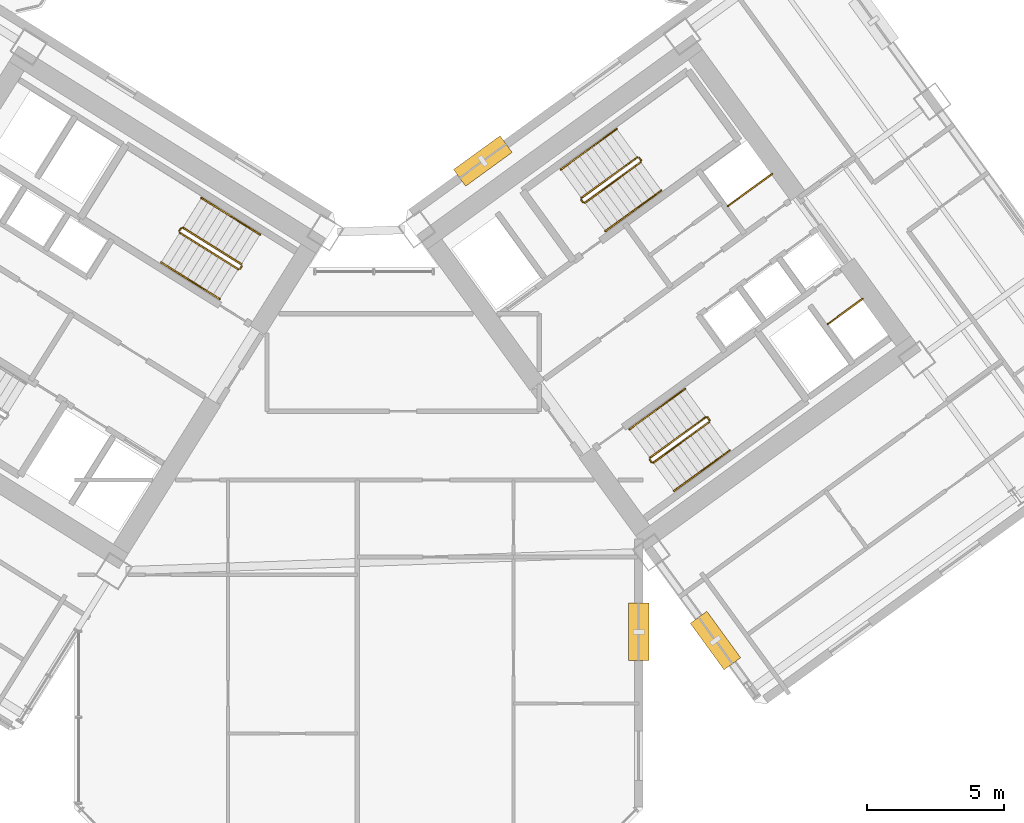
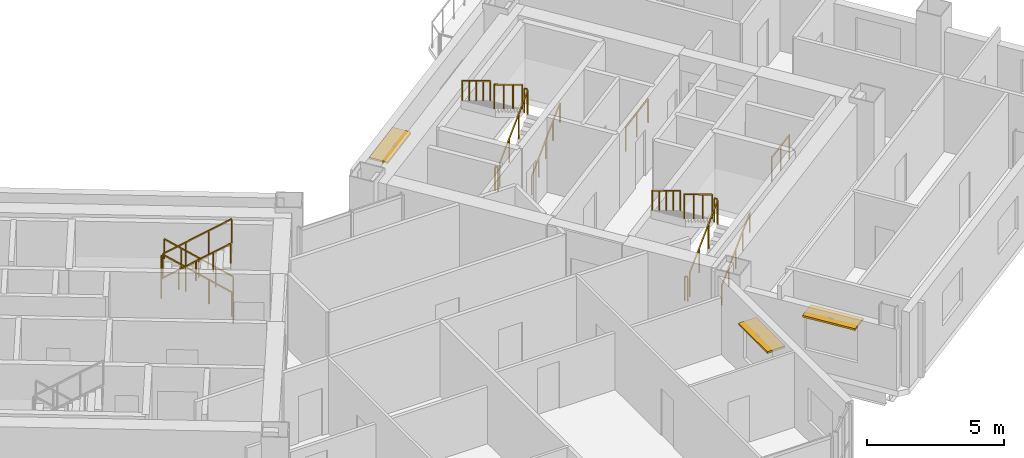
# One storey, part 23 of 24: 26 railings, 3 shading devices.
"""IFC4 building model written with IfcOpenShell, lengths in metres."""

from ifc_helpers import new_model, si_unit, direction, frame, origin, origin_2d, place, context, subcontext, project, spatial, rectangle, extrude, source, transform, mapped, material, layer, layer_set, type_object, element, save


model = new_model("IFC4")

# Units and contexts
model_context = context("Model", 3, precision=1e-05, world=origin(), true_north=direction((0.0, 1.0)))
body_context = subcontext(model_context, "Body", "Model", "MODEL_VIEW")
ifc_project = project(units=[si_unit("LENGTHUNIT", "METRE"), si_unit("AREAUNIT", "SQUARE_METRE"), si_unit("VOLUMEUNIT", "CUBIC_METRE"), si_unit("PLANEANGLEUNIT", "RADIAN"), si_unit("MASSUNIT", "GRAM", prefix="KILO")], contexts=[model_context])

# Site, building, storey
site_placement = place(None, origin())
site = spatial("IfcSite", under=ifc_project, at=site_placement, CompositionType="ELEMENT")
building_placement = place(site_placement, origin())
building = spatial("IfcBuilding", under=site, at=building_placement, Name="Tlacorven Tower", CompositionType="ELEMENT")
storey_placement = place(building_placement, frame((0.0, 0.0, 31.199951171875)))
storey = spatial("IfcBuildingStorey", under=building, at=storey_placement, Name="L07", CompositionType="ELEMENT", Elevation=31.199951171875)

# Railings
ifc_material_1 = material(Name="Aluminium and painted steel balustrade", Category="steel")
railing_type_1 = type_object("IfcRailingType", Name="RL-GRD-1100", PredefinedType="GUARDRAIL", material=ifc_material_1)
shared_shape_1 = source(origin(), body_context, "Body", "SweptSolid", [
    extrude(rectangle(XDim=0.048095703125, YDim=0.048095703125, at=origin_2d()), frame((0.0, 0.0, 1.076171875), z_axis=(0.808947177504, 0.587881334972, 0.0), x_axis=(-0.587881334972, 0.808947177504, 0.0)), (0.0, 0.0, 1.0), 2.0),
    extrude(rectangle(XDim=0.0419921875, YDim=0.0419921875, at=origin_2d()), origin(), (0.0, 0.0, 1.0), 1.052001953125),
    extrude(rectangle(XDim=0.0419921875, YDim=0.0419921875, at=origin_2d()), frame((0.80908203125, 0.587890625, 0.0)), (0.0, 0.0, 1.0), 1.052001953125),
    extrude(rectangle(XDim=0.0419921875, YDim=0.0419921875, at=origin_2d()), frame((1.617919921875, 1.17578125, 0.0)), (0.0, 0.0, 1.0), 1.052001953125),
])
railing_1_placement = place(storey_placement, frame((55.506103515625, 25.438232421875, 0.0)))
element("IfcRailing", 1, at=railing_1_placement, inside=storey, type_object=railing_type_1, Name="L07 Electrical Riser E Shaft Guard 1", PredefinedType="GUARDRAIL", context=body_context, shape_type="MappedRepresentation", body=[
    mapped(shared_shape_1, transform((0.0, 0.0, 0.0), scale=1.0)),
])
shared_shape_2 = source(origin(), body_context, "Body", "SweptSolid", [
    extrude(rectangle(XDim=0.048095703125, YDim=0.048095703125, at=origin_2d()), frame((0.0, 0.0, 1.076171875), z_axis=(0.809029975545, 0.58776738483, 0.0), x_axis=(-0.58776738483, 0.809029975545, 0.0)), (0.0, 0.0, 1.0), 1.580078125),
    extrude(rectangle(XDim=0.0419921875, YDim=0.0419921875, at=origin_2d()), origin(), (0.0, 0.0, 1.0), 1.052001953125),
    extrude(rectangle(XDim=0.0419921875, YDim=0.0419921875, at=origin_2d()), frame((0.63916015625, 0.46435546875, 0.0)), (0.0, 0.0, 1.0), 1.052001953125),
    extrude(rectangle(XDim=0.0419921875, YDim=0.0419921875, at=origin_2d()), frame((1.2783203125, 0.9287109375, 0.0)), (0.0, 0.0, 1.0), 1.052001953125),
])
railing_2_placement = place(storey_placement, frame((59.160888671875, 21.122314453125, 0.0)))
element("IfcRailing", 2, at=railing_2_placement, inside=storey, type_object=railing_type_1, Name="L07 Smoke Riser E Shaft Guard 1", PredefinedType="GUARDRAIL", context=body_context, shape_type="MappedRepresentation", body=[
    mapped(shared_shape_2, transform((0.0, 0.0, 0.0), scale=1.0)),
])

# Shading devices
ifc_material_2 = material(Name="Anodised bronze aluminium sunshade", Category="aluminium")
ifc_layer = layer(ifc_material_2, 0.080078125)
ifc_layer_set = layer_set([ifc_layer], Name="Anodised bronze aluminium sunshade")
shading_device_type = type_object("IfcShadingDeviceType", Name="SH-SUN-BRZ", PredefinedType="AWNING", material=ifc_layer_set)
shared_shape_3 = source(origin(), body_context, "Body", "SweptSolid", [
    extrude(rectangle(XDim=2.10009765625, YDim=0.75, at=origin_2d()), origin(), (0.0, 0.0, 1.0), 0.080078125),
])
for number, where, z_axis, x_axis, name in (
    (3, (46.5419921875, 27.083740234375, 2.3701171875), (0.0, 0.0, 1.0), (0.809017097486, 0.587785110372, 0.0), "L07 Solar Brise-Soleil Sunshade L07-04.1"),
    (4, (55.04931640625, 9.54736328125, 2.3701171875), (0.0, 0.0, 1.0), (-0.587785622053, 0.809016725728, 0.0), "L07 Solar Brise-Soleil Sunshade L07-07.1"),
    (5, (52.239990234375, 9.861572265625, 2.3701171875), (0.0, 0.0, 1.0), (0.0, -1.0, 0.0), "L07 Solar Brise-Soleil Sunshade L07-08.1"),
):
    element("IfcShadingDevice", number, at=place(storey_placement, frame(where, z_axis=z_axis, x_axis=x_axis)), inside=storey, type_object=shading_device_type, Name=name, PredefinedType="AWNING", context=body_context, shape_type="MappedRepresentation", body=[
        mapped(shared_shape_3, transform((0.0, 0.0, 0.0), scale=1.0)),
    ])

# Railings
shared_shape_4 = source(origin(), body_context, "Body", "SweptSolid", [
    extrude(rectangle(XDim=0.048095703125, YDim=0.048095703125, at=origin_2d()), frame((0.0, 0.0, 1.076171875), z_axis=(-0.713319727316, 0.445773895627, 0.540796265334), x_axis=(-0.529955395941, -0.84802551749, 0.0)), (0.0, 0.0, 1.0), 2.995849609375),
    extrude(rectangle(XDim=0.0419921875, YDim=0.0419921875, at=origin_2d()), origin(), (0.0, 0.0, 1.0), 1.052001953125),
    extrude(rectangle(XDim=0.0419921875, YDim=0.0419921875, at=origin_2d()), frame((-0.71240234375, 0.445068359375, 0.5400390625)), (0.0, 0.0, 1.0), 1.052001953125),
    extrude(rectangle(XDim=0.0419921875, YDim=0.0419921875, at=origin_2d()), frame((-1.424560546875, 0.890380859375, 1.080078125)), (0.0, 0.0, 1.0), 1.052001953125),
    extrude(rectangle(XDim=0.0419921875, YDim=0.0419921875, at=origin_2d()), frame((-2.136962890625, 1.33544921875, 1.6201171875)), (0.0, 0.0, 1.0), 1.052001953125),
])
railing_3_placement = place(storey_placement, frame((37.712158203125, 23.3095703125, 0.179931640625)))
element("IfcRailing", 6, at=railing_3_placement, inside=storey, type_object=railing_type_1, Name="L07 ST-W2 stair guard 1", PredefinedType="GUARDRAIL", context=body_context, shape_type="MappedRepresentation", body=[
    mapped(shared_shape_4, transform((0.0, 0.0, 0.0), scale=1.0)),
])
shared_shape_5 = source(origin(), body_context, "Body", "SweptSolid", [
    extrude(rectangle(XDim=0.048095703125, YDim=0.048095703125, at=origin_2d()), frame((0.0, 0.0, 1.076171875), z_axis=(-0.530546985787, -0.847655529016, 0.0), x_axis=(0.847655529016, -0.530546985787, 0.0)), (0.0, 0.0, 1.0), 0.1201171875),
    extrude(rectangle(XDim=0.0419921875, YDim=0.0419921875, at=origin_2d()), origin(), (0.0, 0.0, 1.0), 1.052001953125),
    extrude(rectangle(XDim=0.0419921875, YDim=0.0419921875, at=origin_2d()), frame((-0.063720703125, -0.101806640625, 0.0)), (0.0, 0.0, 1.0), 1.052001953125),
])
railing_4_placement = place(storey_placement, frame((37.728271484375, 23.24072265625, 0.0)))
element("IfcRailing", 7, at=railing_4_placement, inside=storey, type_object=railing_type_1, Name="L07 ST-W2 stair guard 4", PredefinedType="GUARDRAIL", context=body_context, shape_type="MappedRepresentation", body=[
    mapped(shared_shape_5, transform((0.0, 0.0, 0.0), scale=1.0)),
])
railing_type_2 = type_object("IfcRailingType", Name="RL-HND-0900", PredefinedType="HANDRAIL", material=ifc_material_1)
shared_shape_6 = source(origin(), body_context, "Body", "SweptSolid", [
    extrude(rectangle(XDim=0.048095703125, YDim=0.048095703125, at=origin_2d()), frame((0.0, 0.0, 0.8759765625), z_axis=(-0.713359751793, 0.4457479829, 0.540764828981), x_axis=(-0.529911857636, -0.848052724267, 0.0)), (0.0, 0.0, 1.0), 1.498046875),
    extrude(rectangle(XDim=0.0419921875, YDim=0.0419921875, at=origin_2d()), origin(), (0.0, 0.0, 1.0), 0.851806640625),
    extrude(rectangle(XDim=0.0419921875, YDim=0.0419921875, at=origin_2d()), frame((-0.5341796875, 0.333984375, 0.405029296875)), (0.0, 0.0, 1.0), 0.851806640625),
    extrude(rectangle(XDim=0.0419921875, YDim=0.0419921875, at=origin_2d()), frame((-1.068603515625, 0.667724609375, 0.81005859375)), (0.0, 0.0, 1.0), 0.851806640625),
])
for number, where, name in (
    (8, (38.390625, 24.39501953125, 0.179931640625), "L07 ST-W2 stair handrail 1"),
    (9, (37.322021484375, 25.062744140625, 0.989990234375), "L07 ST-W2 stair handrail 2"),
):
    element("IfcRailing", number, at=place(storey_placement, frame(where)), inside=storey, type_object=railing_type_2, Name=name, PredefinedType="HANDRAIL", context=body_context, shape_type="MappedRepresentation", body=[
        mapped(shared_shape_6, transform((0.0, 0.0, 0.0), scale=1.0)),
    ])
shared_shape_7 = source(origin(), body_context, "Body", "SweptSolid", [
    extrude(rectangle(XDim=0.048095703125, YDim=0.048095703125, at=origin_2d()), frame((0.0, 0.0, 0.8759765625), z_axis=(0.713359751793, -0.4457479829, 0.540764828981), x_axis=(0.529911857636, 0.848052724267, 0.0)), (0.0, 0.0, 1.0), 1.498046875),
    extrude(rectangle(XDim=0.0419921875, YDim=0.0419921875, at=origin_2d()), origin(), (0.0, 0.0, 1.0), 0.851806640625),
    extrude(rectangle(XDim=0.0419921875, YDim=0.0419921875, at=origin_2d()), frame((0.5341796875, -0.333984375, 0.405029296875)), (0.0, 0.0, 1.0), 0.851806640625),
    extrude(rectangle(XDim=0.0419921875, YDim=0.0419921875, at=origin_2d()), frame((1.068603515625, -0.667724609375, 0.81005859375)), (0.0, 0.0, 1.0), 0.851806640625),
])
for number, where, name in (
    (10, (34.7802734375, 23.372802734375, 1.97998046875), "L07 ST-W2 stair handrail 3"),
    (11, (35.848876953125, 22.705078125, 2.7900390625), "L07 ST-W2 stair handrail 4"),
):
    element("IfcRailing", number, at=place(storey_placement, frame(where)), inside=storey, type_object=railing_type_2, Name=name, PredefinedType="HANDRAIL", context=body_context, shape_type="MappedRepresentation", body=[
        mapped(shared_shape_7, transform((0.0, 0.0, 0.0), scale=1.0)),
    ])
shared_shape_8 = source(origin(), body_context, "Body", "SweptSolid", [
    extrude(rectangle(XDim=0.048095703125, YDim=0.048095703125, at=origin_2d()), frame((0.0, 0.0, 1.076171875), z_axis=(-0.531462422766, -0.847081869236, 0.0), x_axis=(0.847081869236, -0.531462422766, 0.0)), (0.0, 0.0, 1.0), 0.119873046875),
    extrude(rectangle(XDim=0.0419921875, YDim=0.0419921875, at=origin_2d()), origin(), (0.0, 0.0, 1.0), 1.052001953125),
    extrude(rectangle(XDim=0.0419921875, YDim=0.0419921875, at=origin_2d()), frame((-0.063720703125, -0.1015625, 0.0)), (0.0, 0.0, 1.0), 1.052001953125),
])
railing_5_placement = place(storey_placement, frame((35.50634765625, 24.62890625, 1.800048828125)))
element("IfcRailing", 12, at=railing_5_placement, inside=storey, type_object=railing_type_1, Name="L07 ST-W2 stair guard 2", PredefinedType="GUARDRAIL", context=body_context, shape_type="MappedRepresentation", body=[
    mapped(shared_shape_8, transform((0.0, 0.0, 0.0), scale=1.0)),
])
shared_shape_9 = source(origin(), body_context, "Body", "SweptSolid", [
    extrude(rectangle(XDim=0.048095703125, YDim=0.048095703125, at=origin_2d()), frame((0.0, 0.0, 1.076171875), z_axis=(0.713385662783, -0.445682681033, 0.540784470897), x_axis=(0.52984217967, 0.848096259066, 0.0)), (0.0, 0.0, 1.0), 2.995849609375),
    extrude(rectangle(XDim=0.0419921875, YDim=0.0419921875, at=origin_2d()), origin(), (0.0, 0.0, 1.0), 1.052001953125),
    extrude(rectangle(XDim=0.0419921875, YDim=0.0419921875, at=origin_2d()), frame((0.71240234375, -0.445068359375, 0.5400390625)), (0.0, 0.0, 1.0), 1.052001953125),
    extrude(rectangle(XDim=0.0419921875, YDim=0.0419921875, at=origin_2d()), frame((1.4248046875, -0.89013671875, 1.080078125)), (0.0, 0.0, 1.0), 1.052001953125),
    extrude(rectangle(XDim=0.0419921875, YDim=0.0419921875, at=origin_2d()), frame((2.13720703125, -1.335205078125, 1.6201171875)), (0.0, 0.0, 1.0), 1.052001953125),
])
railing_6_placement = place(storey_placement, frame((35.45849609375, 24.458251953125, 1.97998046875)))
element("IfcRailing", 13, at=railing_6_placement, inside=storey, type_object=railing_type_1, Name="L07 ST-W2 stair guard 3", PredefinedType="GUARDRAIL", context=body_context, shape_type="MappedRepresentation", body=[
    mapped(shared_shape_9, transform((0.0, 0.0, 0.0), scale=1.0)),
])
shared_shape_10 = source(origin(), body_context, "Body", "SweptSolid", [
    extrude(rectangle(XDim=0.048095703125, YDim=0.048095703125, at=origin_2d()), frame((0.0, 0.0, 1.076171875), z_axis=(-0.587567097037, 0.809175448515, 0.0), x_axis=(-0.809175448515, -0.587567097037, 0.0)), (0.0, 0.0, 1.0), 0.1201171875),
    extrude(rectangle(XDim=0.0419921875, YDim=0.0419921875, at=origin_2d()), origin(), (0.0, 0.0, 1.0), 1.052001953125),
    extrude(rectangle(XDim=0.0419921875, YDim=0.0419921875, at=origin_2d()), frame((-0.070556640625, 0.09716796875, 0.0)), (0.0, 0.0, 1.0), 1.052001953125),
])
for number, where, name in (
    (14, (54.8310546875, 17.605712890625, 1.800048828125), "L07 ST-E2 stair guard 2"),
    (15, (52.71142578125, 16.065673828125, 0.0), "L07 ST-E2 stair guard 4"),
):
    element("IfcRailing", number, at=place(storey_placement, frame(where)), inside=storey, type_object=railing_type_1, Name=name, PredefinedType="GUARDRAIL", context=body_context, shape_type="MappedRepresentation", body=[
        mapped(shared_shape_10, transform((0.0, 0.0, 0.0), scale=1.0)),
    ])
shared_shape_11 = source(origin(), body_context, "Body", "SweptSolid", [
    extrude(rectangle(XDim=0.048095703125, YDim=0.048095703125, at=origin_2d()), frame((0.0, 0.0, 1.076171875), z_axis=(-0.587201422542, 0.809440849824, 0.0), x_axis=(-0.809440849824, -0.587201422542, 0.0)), (0.0, 0.0, 1.0), 0.11962890625),
    extrude(rectangle(XDim=0.0419921875, YDim=0.0419921875, at=origin_2d()), origin(), (0.0, 0.0, 1.0), 1.052001953125),
    extrude(rectangle(XDim=0.0419921875, YDim=0.0419921875, at=origin_2d()), frame((-0.0703125, 0.096923828125, 0.0)), (0.0, 0.0, 1.0), 1.052001953125),
])
for number, where, name in (
    (16, (52.326904296875, 27.10888671875, 1.800048828125), "L07 ST-E1 stair guard 2"),
    (17, (50.207275390625, 25.56884765625, 0.0), "L07 ST-E1 stair guard 4"),
):
    element("IfcRailing", number, at=place(storey_placement, frame(where)), inside=storey, type_object=railing_type_1, Name=name, PredefinedType="GUARDRAIL", context=body_context, shape_type="MappedRepresentation", body=[
        mapped(shared_shape_11, transform((0.0, 0.0, 0.0), scale=1.0)),
    ])
shared_shape_12 = source(origin(), body_context, "Body", "SweptSolid", [
    extrude(rectangle(XDim=0.048095703125, YDim=0.048095703125, at=origin_2d()), frame((0.0, 0.0, 1.076171875), z_axis=(0.680488636597, 0.494434078831, 0.540805100894), x_axis=(-0.5878087079, 0.808999952359, 0.0)), (0.0, 0.0, 1.0), 2.995849609375),
    extrude(rectangle(XDim=0.0419921875, YDim=0.0419921875, at=origin_2d()), origin(), (0.0, 0.0, 1.0), 1.052001953125),
    extrude(rectangle(XDim=0.0419921875, YDim=0.0419921875, at=origin_2d()), frame((0.679443359375, 0.49365234375, 0.5400390625)), (0.0, 0.0, 1.0), 1.052001953125),
    extrude(rectangle(XDim=0.0419921875, YDim=0.0419921875, at=origin_2d()), frame((1.359130859375, 0.987548828125, 1.080078125)), (0.0, 0.0, 1.0), 1.052001953125),
    extrude(rectangle(XDim=0.0419921875, YDim=0.0419921875, at=origin_2d()), frame((2.03857421875, 1.481201171875, 1.6201171875)), (0.0, 0.0, 1.0), 1.052001953125),
])
railing_7_placement = place(storey_placement, frame((50.27734375, 25.557861328125, 0.179931640625)))
element("IfcRailing", 18, at=railing_7_placement, inside=storey, type_object=railing_type_1, Name="L07 ST-E1 stair guard 1", PredefinedType="GUARDRAIL", context=body_context, shape_type="MappedRepresentation", body=[
    mapped(shared_shape_12, transform((0.0, 0.0, 0.0), scale=1.0)),
])
shared_shape_13 = source(origin(), body_context, "Body", "SweptSolid", [
    extrude(rectangle(XDim=0.048095703125, YDim=0.048095703125, at=origin_2d()), frame((0.0, 0.0, 1.076171875), z_axis=(-0.680488636597, -0.494434078831, 0.540805100894), x_axis=(0.5878087079, -0.808999952359, 0.0)), (0.0, 0.0, 1.0), 2.995849609375),
    extrude(rectangle(XDim=0.0419921875, YDim=0.0419921875, at=origin_2d()), origin(), (0.0, 0.0, 1.0), 1.052001953125),
    extrude(rectangle(XDim=0.0419921875, YDim=0.0419921875, at=origin_2d()), frame((-0.679443359375, -0.49365234375, 0.5400390625)), (0.0, 0.0, 1.0), 1.052001953125),
    extrude(rectangle(XDim=0.0419921875, YDim=0.0419921875, at=origin_2d()), frame((-1.359130859375, -0.987548828125, 1.080078125)), (0.0, 0.0, 1.0), 1.052001953125),
    extrude(rectangle(XDim=0.0419921875, YDim=0.0419921875, at=origin_2d()), frame((-2.03857421875, -1.481201171875, 1.6201171875)), (0.0, 0.0, 1.0), 1.052001953125),
])
railing_8_placement = place(storey_placement, frame((52.1865234375, 27.217041015625, 1.97998046875)))
element("IfcRailing", 19, at=railing_8_placement, inside=storey, type_object=railing_type_1, Name="L07 ST-E1 stair guard 3", PredefinedType="GUARDRAIL", context=body_context, shape_type="MappedRepresentation", body=[
    mapped(shared_shape_13, transform((0.0, 0.0, 0.0), scale=1.0)),
])
shared_shape_14 = source(origin(), body_context, "Body", "SweptSolid", [
    extrude(rectangle(XDim=0.048095703125, YDim=0.048095703125, at=origin_2d()), frame((0.0, 0.0, 0.8759765625), z_axis=(0.680516055757, 0.494372502302, 0.540826891737), x_axis=(-0.587745292299, 0.809046025502, 0.0)), (0.0, 0.0, 1.0), 1.497802734375),
    extrude(rectangle(XDim=0.0419921875, YDim=0.0419921875, at=origin_2d()), origin(), (0.0, 0.0, 1.0), 0.851806640625),
    extrude(rectangle(XDim=0.0419921875, YDim=0.0419921875, at=origin_2d()), frame((0.509765625, 0.3701171875, 0.405029296875)), (0.0, 0.0, 1.0), 0.851806640625),
    extrude(rectangle(XDim=0.0419921875, YDim=0.0419921875, at=origin_2d()), frame((1.019287109375, 0.740478515625, 0.81005859375)), (0.0, 0.0, 1.0), 0.851806640625),
])
for number, where, name in (
    (20, (51.029541015625, 24.522216796875, 0.179931640625), "L07 ST-E1 stair handrail 1"),
    (21, (54.552978515625, 15.759765625, 0.989990234375), "L07 ST-E2 stair handrail 2"),
):
    element("IfcRailing", number, at=place(storey_placement, frame(where)), inside=storey, type_object=railing_type_2, Name=name, PredefinedType="HANDRAIL", context=body_context, shape_type="MappedRepresentation", body=[
        mapped(shared_shape_14, transform((0.0, 0.0, 0.0), scale=1.0)),
    ])
shared_shape_15 = source(origin(), body_context, "Body", "SweptSolid", [
    extrude(rectangle(XDim=0.048095703125, YDim=0.048095703125, at=origin_2d()), frame((0.0, 0.0, 0.8759765625), z_axis=(0.680548719995, 0.49444080854, 0.540723336433), x_axis=(-0.587779977844, 0.80902082646, 0.0)), (0.0, 0.0, 1.0), 1.498046875),
    extrude(rectangle(XDim=0.0419921875, YDim=0.0419921875, at=origin_2d()), origin(), (0.0, 0.0, 1.0), 0.851806640625),
    extrude(rectangle(XDim=0.0419921875, YDim=0.0419921875, at=origin_2d()), frame((0.509765625, 0.370361328125, 0.405029296875)), (0.0, 0.0, 1.0), 0.851806640625),
    extrude(rectangle(XDim=0.0419921875, YDim=0.0419921875, at=origin_2d()), frame((1.01953125, 0.74072265625, 0.81005859375)), (0.0, 0.0, 1.0), 0.851806640625),
])
railing_9_placement = place(storey_placement, frame((52.048828125, 25.2626953125, 0.989990234375)))
element("IfcRailing", 22, at=railing_9_placement, inside=storey, type_object=railing_type_2, Name="L07 ST-E1 stair handrail 2", PredefinedType="HANDRAIL", context=body_context, shape_type="MappedRepresentation", body=[
    mapped(shared_shape_15, transform((0.0, 0.0, 0.0), scale=1.0)),
])
shared_shape_16 = source(origin(), body_context, "Body", "SweptSolid", [
    extrude(rectangle(XDim=0.048095703125, YDim=0.048095703125, at=origin_2d()), frame((0.0, 0.0, 0.8759765625), z_axis=(-0.680603554404, -0.494317667746, 0.540766904577), x_axis=(0.587653156371, -0.809112951205, 0.0)), (0.0, 0.0, 1.0), 1.498046875),
    extrude(rectangle(XDim=0.0419921875, YDim=0.0419921875, at=origin_2d()), origin(), (0.0, 0.0, 1.0), 0.851806640625),
    extrude(rectangle(XDim=0.0419921875, YDim=0.0419921875, at=origin_2d()), frame((-0.509765625, -0.3701171875, 0.405029296875)), (0.0, 0.0, 1.0), 0.851806640625),
    extrude(rectangle(XDim=0.0419921875, YDim=0.0419921875, at=origin_2d()), frame((-1.01953125, -0.740478515625, 0.81005859375)), (0.0, 0.0, 1.0), 0.851806640625),
])
railing_10_placement = place(storey_placement, frame((51.434326171875, 28.25244140625, 1.97998046875)))
element("IfcRailing", 23, at=railing_10_placement, inside=storey, type_object=railing_type_2, Name="L07 ST-E1 stair handrail 3", PredefinedType="HANDRAIL", context=body_context, shape_type="MappedRepresentation", body=[
    mapped(shared_shape_16, transform((0.0, 0.0, 0.0), scale=1.0)),
])
shared_shape_17 = source(origin(), body_context, "Body", "SweptSolid", [
    extrude(rectangle(XDim=0.048095703125, YDim=0.048095703125, at=origin_2d()), frame((0.0, 0.0, 0.8759765625), z_axis=(-0.680461216233, -0.494495647917, 0.540783309093), x_axis=(0.587872112667, -0.808953879494, 0.0)), (0.0, 0.0, 1.0), 1.498046875),
    extrude(rectangle(XDim=0.0419921875, YDim=0.0419921875, at=origin_2d()), origin(), (0.0, 0.0, 1.0), 0.851806640625),
    extrude(rectangle(XDim=0.0419921875, YDim=0.0419921875, at=origin_2d()), frame((-0.509765625, -0.370361328125, 0.405029296875)), (0.0, 0.0, 1.0), 0.851806640625),
    extrude(rectangle(XDim=0.0419921875, YDim=0.0419921875, at=origin_2d()), frame((-1.019287109375, -0.74072265625, 0.81005859375)), (0.0, 0.0, 1.0), 0.851806640625),
])
for number, where, name in (
    (24, (50.414794921875, 27.511962890625, 2.7900390625), "L07 ST-E1 stair handrail 4"),
    (25, (52.9189453125, 18.0087890625, 2.7900390625), "L07 ST-E2 stair handrail 4"),
):
    element("IfcRailing", number, at=place(storey_placement, frame(where)), inside=storey, type_object=railing_type_2, Name=name, PredefinedType="HANDRAIL", context=body_context, shape_type="MappedRepresentation", body=[
        mapped(shared_shape_17, transform((0.0, 0.0, 0.0), scale=1.0)),
    ])
shared_shape_18 = source(origin(), body_context, "Body", "SweptSolid", [
    extrude(rectangle(XDim=0.048095703125, YDim=0.048095703125, at=origin_2d()), frame((0.0, 0.0, 1.076171875), z_axis=(0.680532390839, 0.494406659708, 0.54077511024), x_axis=(-0.587762637553, 0.809033424462, 0.0)), (0.0, 0.0, 1.0), 2.995849609375),
    extrude(rectangle(XDim=0.0419921875, YDim=0.0419921875, at=origin_2d()), origin(), (0.0, 0.0, 1.0), 1.052001953125),
    extrude(rectangle(XDim=0.0419921875, YDim=0.0419921875, at=origin_2d()), frame((0.6796875, 0.49365234375, 0.5400390625)), (0.0, 0.0, 1.0), 1.052001953125),
    extrude(rectangle(XDim=0.0419921875, YDim=0.0419921875, at=origin_2d()), frame((1.359130859375, 0.987548828125, 1.080078125)), (0.0, 0.0, 1.0), 1.052001953125),
    extrude(rectangle(XDim=0.0419921875, YDim=0.0419921875, at=origin_2d()), frame((2.038818359375, 1.481201171875, 1.6201171875)), (0.0, 0.0, 1.0), 1.052001953125),
])
railing_11_placement = place(storey_placement, frame((52.78125, 16.0546875, 0.179931640625)))
element("IfcRailing", 26, at=railing_11_placement, inside=storey, type_object=railing_type_1, Name="L07 ST-E2 stair guard 1", PredefinedType="GUARDRAIL", context=body_context, shape_type="MappedRepresentation", body=[
    mapped(shared_shape_18, transform((0.0, 0.0, 0.0), scale=1.0)),
])
shared_shape_19 = source(origin(), body_context, "Body", "SweptSolid", [
    extrude(rectangle(XDim=0.048095703125, YDim=0.048095703125, at=origin_2d()), frame((0.0, 0.0, 1.076171875), z_axis=(-0.680532390839, -0.494406659708, 0.54077511024), x_axis=(0.587762637553, -0.809033424462, 0.0)), (0.0, 0.0, 1.0), 2.995849609375),
    extrude(rectangle(XDim=0.0419921875, YDim=0.0419921875, at=origin_2d()), origin(), (0.0, 0.0, 1.0), 1.052001953125),
    extrude(rectangle(XDim=0.0419921875, YDim=0.0419921875, at=origin_2d()), frame((-0.6796875, -0.49365234375, 0.5400390625)), (0.0, 0.0, 1.0), 1.052001953125),
    extrude(rectangle(XDim=0.0419921875, YDim=0.0419921875, at=origin_2d()), frame((-1.359130859375, -0.987548828125, 1.080078125)), (0.0, 0.0, 1.0), 1.052001953125),
    extrude(rectangle(XDim=0.0419921875, YDim=0.0419921875, at=origin_2d()), frame((-2.038818359375, -1.481201171875, 1.6201171875)), (0.0, 0.0, 1.0), 1.052001953125),
])
railing_12_placement = place(storey_placement, frame((54.690673828125, 17.7138671875, 1.97998046875)))
element("IfcRailing", 27, at=railing_12_placement, inside=storey, type_object=railing_type_1, Name="L07 ST-E2 stair guard 3", PredefinedType="GUARDRAIL", context=body_context, shape_type="MappedRepresentation", body=[
    mapped(shared_shape_19, transform((0.0, 0.0, 0.0), scale=1.0)),
])
shared_shape_20 = source(origin(), body_context, "Body", "SweptSolid", [
    extrude(rectangle(XDim=0.048095703125, YDim=0.048095703125, at=origin_2d()), frame((0.0, 0.0, 0.8759765625), z_axis=(0.680461216233, 0.494495647917, 0.540783309093), x_axis=(-0.587872112667, 0.808953879494, 0.0)), (0.0, 0.0, 1.0), 1.498046875),
    extrude(rectangle(XDim=0.0419921875, YDim=0.0419921875, at=origin_2d()), origin(), (0.0, 0.0, 1.0), 0.851806640625),
    extrude(rectangle(XDim=0.0419921875, YDim=0.0419921875, at=origin_2d()), frame((0.509765625, 0.370361328125, 0.405029296875)), (0.0, 0.0, 1.0), 0.851806640625),
    extrude(rectangle(XDim=0.0419921875, YDim=0.0419921875, at=origin_2d()), frame((1.019287109375, 0.74072265625, 0.81005859375)), (0.0, 0.0, 1.0), 0.851806640625),
])
railing_13_placement = place(storey_placement, frame((53.53369140625, 15.01904296875, 0.179931640625)))
element("IfcRailing", 28, at=railing_13_placement, inside=storey, type_object=railing_type_2, Name="L07 ST-E2 stair handrail 1", PredefinedType="HANDRAIL", context=body_context, shape_type="MappedRepresentation", body=[
    mapped(shared_shape_20, transform((0.0, 0.0, 0.0), scale=1.0)),
])
shared_shape_21 = source(origin(), body_context, "Body", "SweptSolid", [
    extrude(rectangle(XDim=0.048095703125, YDim=0.048095703125, at=origin_2d()), frame((0.0, 0.0, 0.8759765625), z_axis=(-0.680516055757, -0.494372502302, 0.540826891737), x_axis=(0.587745292299, -0.809046025502, 0.0)), (0.0, 0.0, 1.0), 1.497802734375),
    extrude(rectangle(XDim=0.0419921875, YDim=0.0419921875, at=origin_2d()), origin(), (0.0, 0.0, 1.0), 0.851806640625),
    extrude(rectangle(XDim=0.0419921875, YDim=0.0419921875, at=origin_2d()), frame((-0.509765625, -0.3701171875, 0.405029296875)), (0.0, 0.0, 1.0), 0.851806640625),
    extrude(rectangle(XDim=0.0419921875, YDim=0.0419921875, at=origin_2d()), frame((-1.019287109375, -0.740478515625, 0.81005859375)), (0.0, 0.0, 1.0), 0.851806640625),
])
railing_14_placement = place(storey_placement, frame((53.938232421875, 18.749267578125, 1.97998046875)))
element("IfcRailing", 29, at=railing_14_placement, inside=storey, type_object=railing_type_2, Name="L07 ST-E2 stair handrail 3", PredefinedType="HANDRAIL", context=body_context, shape_type="MappedRepresentation", body=[
    mapped(shared_shape_21, transform((0.0, 0.0, 0.0), scale=1.0)),
])

save(model, "model.ifc")
